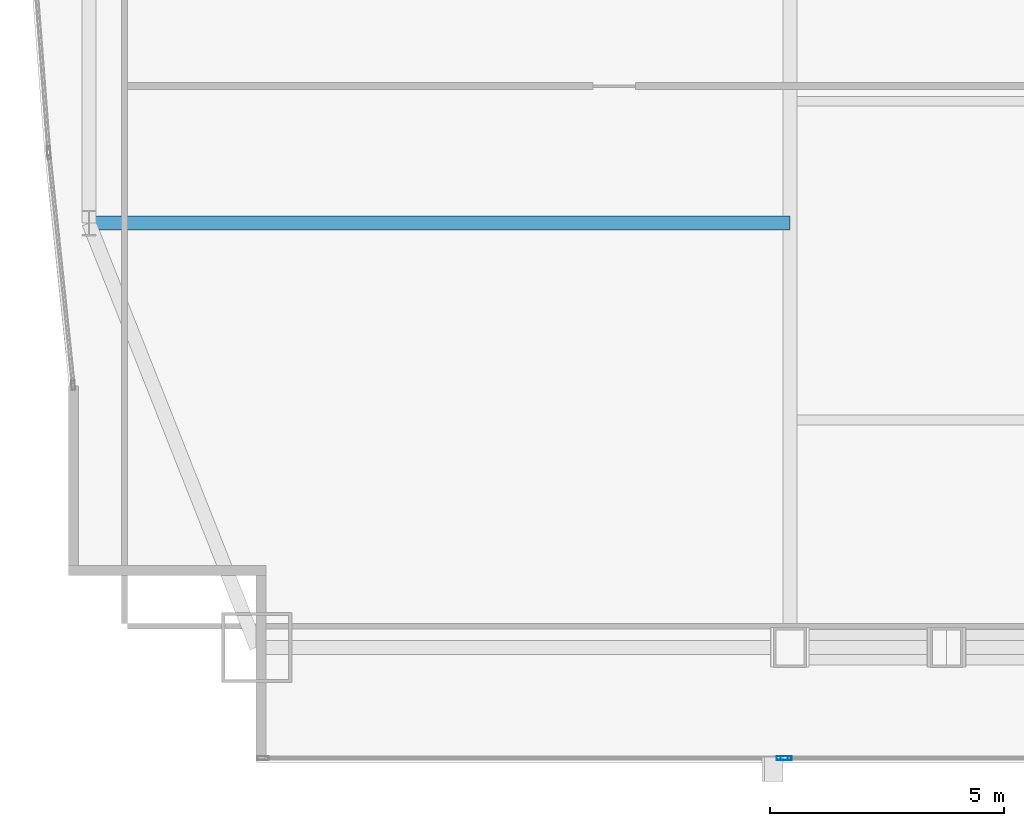
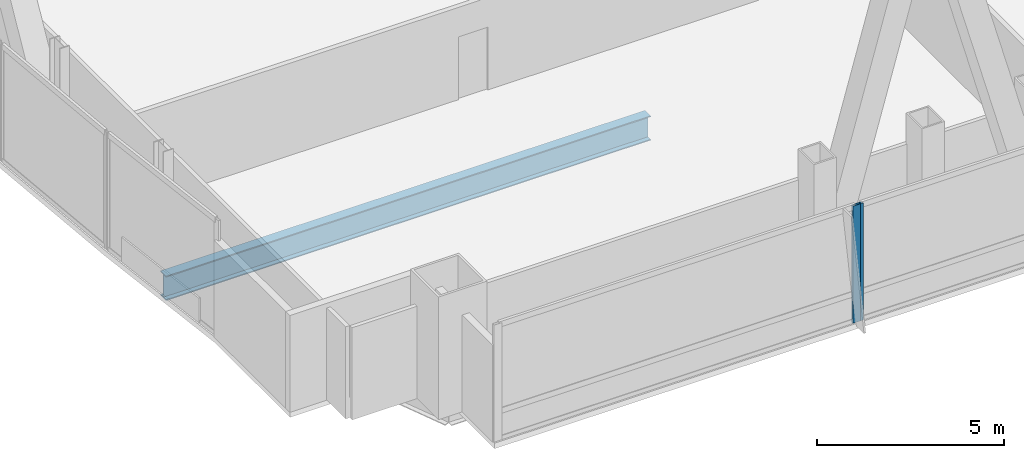
# One storey, part 7 of 32: 2 members, 1 beam, 2 elements without a shape of their own.
"""IFC4 building model written with IfcOpenShell, lengths in metres."""

from ifc_helpers import new_model, si_unit, direction, frame, origin, origin_2d, place, context, subcontext, project, spatial, hollow_rectangle, i_section, extrude, material, material_profile, profile_set, type_object, element, aggregate, save


model = new_model("IFC4")

# Units and contexts
model_context = context("Model", 3, precision=1e-05, world=origin(), true_north=direction((0.0, 1.0)))
body_context = subcontext(model_context, "Body", "Model", "MODEL_VIEW")
ifc_project = project(units=[si_unit("LENGTHUNIT", "METRE"), si_unit("AREAUNIT", "SQUARE_METRE"), si_unit("VOLUMEUNIT", "CUBIC_METRE"), si_unit("PLANEANGLEUNIT", "RADIAN"), si_unit("MASSUNIT", "GRAM", prefix="KILO")], contexts=[model_context])

# Site, building, storey
site_placement = place(None, origin())
site = spatial("IfcSite", under=ifc_project, at=site_placement, CompositionType="ELEMENT")
building_placement = place(site_placement, origin())
building = spatial("IfcBuilding", under=site, at=building_placement, Name="Khoronbel Lancet Exchange", CompositionType="ELEMENT")
storey_placement = place(building_placement, frame((0.0, 0.0, 94.60009765625)))
storey = spatial("IfcBuildingStorey", under=building, at=storey_placement, Name="L22", CompositionType="ELEMENT", Elevation=94.60009765625)

# Beam
ifc_material_1 = material(Name="Steel S355", Category="steel")
ifc_material_profile_1 = material_profile(ifc_material_1, i_section(OverallWidth=0.300048828125, OverallDepth=0.800048828125, WebThickness=0.017578125, FlangeThickness=0.032958984375, at=origin_2d()), Name="HEB 800")
ifc_profile_set_1 = profile_set([ifc_material_profile_1], Name="Steel S355")
beam_type = type_object("IfcBeamType", Name="BM-BG2", PredefinedType="BEAM", material=ifc_profile_set_1)
beam_placement = place(storey_placement, frame((3.27001953125, 19.199951171875, -0.580078125), z_axis=(1.0, 0.0, 0.0), x_axis=(0.0, 1.0, 0.0)))
element("IfcBeam", 1, at=beam_placement, inside=storey, type_object=beam_type, Name="Level L22 west lens tie girder LG1W", PredefinedType="BEAM", context=body_context, shape_type="SweptSolid", body=[
    extrude(i_section(OverallWidth=0.300048828125, OverallDepth=0.800048828125, WebThickness=0.017578125, FlangeThickness=0.032958984375, at=origin_2d()), origin(), (0.0, 0.0, 1.0), 14.955078125),
])

# Curtain wall, member
ifc_material_2 = material(Name="Low-E Solar Control Insulating Glass", Category="glass")
curtain_wall_type = type_object("IfcCurtainWallType", Name="CW-2", PredefinedType="NOTDEFINED", material=ifc_material_2)
curtain_wall_1_placement = place(storey_placement, origin())
curtain_wall_1 = element("IfcCurtainWall", 2, at=curtain_wall_1_placement, inside=storey, type_object=curtain_wall_type, Name="Unitised curtain wall CW-L22-SWV", PredefinedType="NOTDEFINED")
ifc_material_3 = material(Name="Bronze-Anodised Aluminium 6063-T6", Category="aluminium")
ifc_material_profile_2 = material_profile(ifc_material_3, hollow_rectangle(XDim=0.0849609375, YDim=0.239990234375, WallThickness=0.006103515625, at=origin_2d()), Name="ALU MULLION 85x240")
ifc_profile_set_2 = profile_set([ifc_material_profile_2], Name="Bronze-Anodised Aluminium 6063-T6")
member_type = type_object("IfcMemberType", Name="MEM-CWM1", PredefinedType="MULLION", material=ifc_profile_set_2)
member_1_placement = place(storey_placement, frame((18.0576171875, 7.7900390625, 0.0), z_axis=(0.0, 0.0, 1.0), x_axis=(0.0, 1.0, 0.0)))
member_1 = element("IfcMember", 3, at=member_1_placement, type_object=member_type, Name="CW2 mullion 2", PredefinedType="MULLION", context=body_context, shape_type="SweptSolid", body=[
    extrude(hollow_rectangle(XDim=0.0849609375, YDim=0.239990234375, WallThickness=0.006103515625, at=origin_2d()), origin(), (0.0, 0.0, 1.0), 3.81982421875),
])
aggregate(curtain_wall_1, [member_1])

curtain_wall_2_placement = place(storey_placement, origin())
curtain_wall_2 = element("IfcCurtainWall", 4, at=curtain_wall_2_placement, inside=storey, type_object=curtain_wall_type, Name="Unitised curtain wall CW-L22-SWB", PredefinedType="NOTDEFINED")
member_2_placement = place(storey_placement, frame((18.142578125, 7.7900390625, 0.0), z_axis=(0.0, 0.0, 1.0), x_axis=(0.0, 1.0, 0.0)))
member_2 = element("IfcMember", 5, at=member_2_placement, type_object=member_type, Name="CW2 mullion 1", PredefinedType="MULLION", context=body_context, shape_type="SweptSolid", body=[
    extrude(hollow_rectangle(XDim=0.0849609375, YDim=0.239990234375, WallThickness=0.006103515625, at=origin_2d()), origin(), (0.0, 0.0, 1.0), 3.81982421875),
])
aggregate(curtain_wall_2, [member_2])

save(model, "model.ifc")
